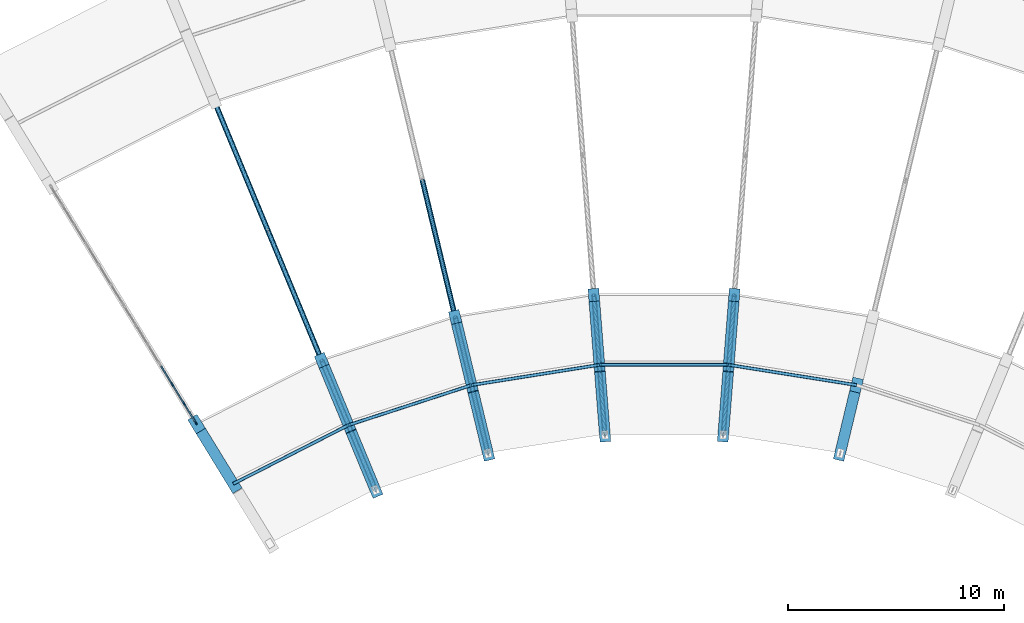
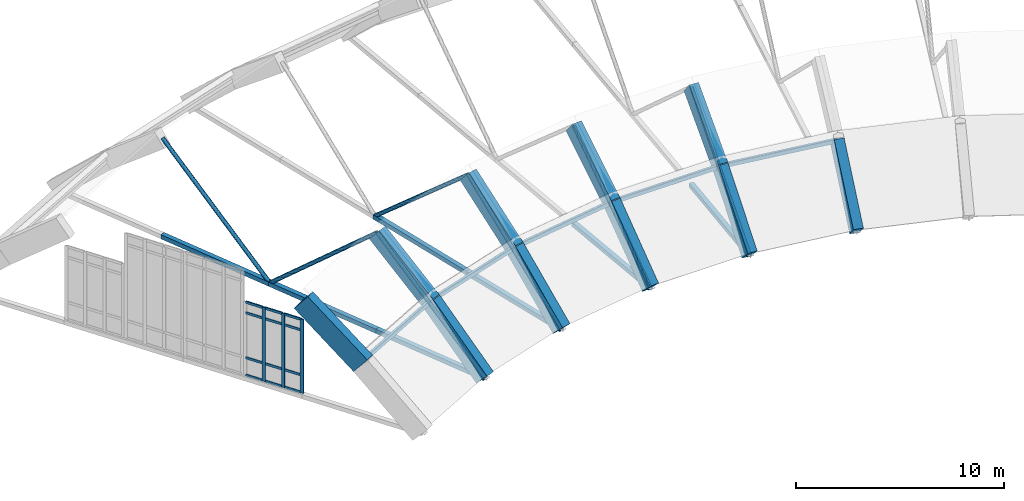
# One storey, part 10 of 34: 27 members, 17 beams, 1 element without a shape of its own.
"""IFC4 building model written with IfcOpenShell, lengths in metres."""

from ifc_helpers import new_model, si_unit, direction, frame, origin, origin_2d, place, context, subcontext, project, spatial, rectangle, hollow_rectangle, hollow_circle, extrude, material, layer, layer_set, material_profile, profile_set, type_object, element, aggregate, save


model = new_model("IFC4")

# Units and contexts
model_context = context("Model", 3, precision=1e-05, world=origin(), true_north=direction((0.0, 1.0)))
body_context = subcontext(model_context, "Body", "Model", "MODEL_VIEW")
ifc_project = project(units=[si_unit("LENGTHUNIT", "METRE"), si_unit("AREAUNIT", "SQUARE_METRE"), si_unit("VOLUMEUNIT", "CUBIC_METRE"), si_unit("PLANEANGLEUNIT", "RADIAN"), si_unit("MASSUNIT", "GRAM", prefix="KILO")], contexts=[model_context])

# Site, building, storey
site_placement = place(None, origin())
site = spatial("IfcSite", under=ifc_project, at=site_placement, CompositionType="ELEMENT")
building_placement = place(site_placement, origin())
building = spatial("IfcBuilding", under=site, at=building_placement, Name="Miralva Faculty of Natural Sciences", CompositionType="ELEMENT")
storey_placement = place(building_placement, frame((0.0, 0.0, 24.0)))
storey = spatial("IfcBuildingStorey", under=building, at=storey_placement, Name="L05", CompositionType="ELEMENT", Elevation=24.0)

# Beams
ifc_material_1 = material(Name="Concrete C40/50", Category="concrete")
ifc_material_profile_1 = material_profile(ifc_material_1, rectangle(XDim=0.5, YDim=1.199951171875, at=origin_2d()), Name="RC 500x1200")
ifc_profile_set_1 = profile_set([ifc_material_profile_1], Name="Concrete C40/50")
beam_type_1 = type_object("IfcBeamType", Name="BM-EB01", PredefinedType="BEAM", material=ifc_profile_set_1)
beam_1_placement = place(storey_placement, frame((70.014404296875, 11.613525390625, 2.93505859375), z_axis=(-0.406454163532, 0.663300468166, 0.628353007376), x_axis=(-0.852649834543, -0.522482784074, 0.0)))
element("IfcBeam", 1, at=beam_1_placement, inside=storey, type_object=beam_type_1, Name="Visible RC shell arch edge beam EB-01 chord 2", PredefinedType="BEAM", context=body_context, shape_type="SweptSolid", body=[
    extrude(rectangle(XDim=0.5, YDim=1.199951171875, at=origin_2d()), origin(), (0.0, 0.0, 1.0), 4.177490234375),
])
ifc_material_profile_2 = material_profile(ifc_material_1, rectangle(XDim=0.5, YDim=0.949951171875, at=origin_2d()), Name="RC 500x950")
ifc_profile_set_2 = profile_set([ifc_material_profile_2], Name="Concrete C40/50")
beam_type_2 = type_object("IfcBeamType", Name="BM-EB02", PredefinedType="BEAM", material=ifc_profile_set_2)
beam_2_placement = place(storey_placement, frame((76.606201171875, 11.335693359375, -0.0400390625), z_axis=(-0.276941591979, 0.668519065701, 0.69020693522), x_axis=(-0.923863931748, -0.382721093768, 0.0)))
element("IfcBeam", 2, at=beam_2_placement, inside=storey, type_object=beam_type_2, Name="Visible RC shell arch edge beam EB-02 chord 1", PredefinedType="BEAM", context=body_context, shape_type="SweptSolid", body=[
    extrude(rectangle(XDim=0.5, YDim=0.949951171875, at=origin_2d()), origin(), (0.0, 0.0, 1.0), 4.491455078125),
])
beam_3_placement = place(storey_placement, frame((75.3623046875, 14.33837890625, 3.06005859375), z_axis=(-0.297686242674, 0.718736375863, 0.628331857328), x_axis=(-0.92389049032, -0.382656976802, 0.0)))
element("IfcBeam", 3, at=beam_3_placement, inside=storey, type_object=beam_type_2, Name="Visible RC shell arch edge beam EB-02 chord 2", PredefinedType="BEAM", context=body_context, shape_type="SweptSolid", body=[
    extrude(rectangle(XDim=0.5, YDim=0.949951171875, at=origin_2d()), origin(), (0.0, 0.0, 1.0), 4.177734375),
])
beam_4_placement = place(storey_placement, frame((81.829345703125, 13.032958984375, -0.0400390625), z_axis=(-0.168888681592, 0.703603184593, 0.690231245207), x_axis=(-0.972379800638, -0.233404205855, 0.0)))
element("IfcBeam", 4, at=beam_4_placement, inside=storey, type_object=beam_type_2, Name="Visible RC shell arch edge beam EB-03 chord 1", PredefinedType="BEAM", context=body_context, shape_type="SweptSolid", body=[
    extrude(rectangle(XDim=0.5, YDim=0.949951171875, at=origin_2d()), origin(), (0.0, 0.0, 1.0), 4.491455078125),
])
beam_5_placement = place(storey_placement, frame((81.07080078125, 16.193115234375, 3.06005859375), z_axis=(-0.181621455172, 0.75646387941, 0.628312061137), x_axis=(-0.972366843262, -0.233458180677, 0.0)))
element("IfcBeam", 5, at=beam_5_placement, inside=storey, type_object=beam_type_2, Name="Visible RC shell arch edge beam EB-03 chord 2", PredefinedType="BEAM", context=body_context, shape_type="SweptSolid", body=[
    extrude(rectangle(XDim=0.5, YDim=0.949951171875, at=origin_2d()), origin(), (0.0, 0.0, 1.0), 4.177978515625),
])
beam_6_placement = place(storey_placement, frame((87.25390625, 13.89208984375, -0.0400390625), z_axis=(-0.056802650542, 0.721366483586, 0.690220149844), x_axis=(-0.99691410334, -0.078500130962, 0.0)))
element("IfcBeam", 6, at=beam_6_placement, inside=storey, type_object=beam_type_2, Name="Visible RC shell arch edge beam EB-04 chord 1", PredefinedType="BEAM", context=body_context, shape_type="SweptSolid", body=[
    extrude(rectangle(XDim=0.5, YDim=0.949951171875, at=origin_2d()), origin(), (0.0, 0.0, 1.0), 4.491455078125),
])
beam_7_placement = place(storey_placement, frame((86.998779296875, 17.132080078125, 3.06005859375), z_axis=(-0.06101040763, 0.775545133769, 0.628337071681), x_axis=(-0.996919979292, -0.078425473467, 0.0)))
element("IfcBeam", 7, at=beam_7_placement, inside=storey, type_object=beam_type_2, Name="Visible RC shell arch edge beam EB-04 chord 2", PredefinedType="BEAM", context=body_context, shape_type="SweptSolid", body=[
    extrude(rectangle(XDim=0.5, YDim=0.949951171875, at=origin_2d()), origin(), (0.0, 0.0, 1.0), 4.177734375),
])
beam_8_placement = place(storey_placement, frame((92.74609375, 13.89208984375, -0.0400390625), z_axis=(0.056802650542, 0.721366483586, 0.690220149844), x_axis=(-0.99691410334, 0.078500130962, 0.0)))
element("IfcBeam", 8, at=beam_8_placement, inside=storey, type_object=beam_type_2, Name="Visible RC shell arch edge beam EB-05 chord 1", PredefinedType="BEAM", context=body_context, shape_type="SweptSolid", body=[
    extrude(rectangle(XDim=0.5, YDim=0.949951171875, at=origin_2d()), origin(), (0.0, 0.0, 1.0), 4.491455078125),
])
beam_9_placement = place(storey_placement, frame((93.001220703125, 17.132080078125, 3.06005859375), z_axis=(0.06101040763, 0.775545133769, 0.628337071681), x_axis=(-0.996919979292, 0.078425473467, 0.0)))
element("IfcBeam", 9, at=beam_9_placement, inside=storey, type_object=beam_type_2, Name="Visible RC shell arch edge beam EB-05 chord 2", PredefinedType="BEAM", context=body_context, shape_type="SweptSolid", body=[
    extrude(rectangle(XDim=0.5, YDim=0.949951171875, at=origin_2d()), origin(), (0.0, 0.0, 1.0), 4.177734375),
])
beam_10_placement = place(storey_placement, frame((98.170654296875, 13.032958984375, -0.0400390625), z_axis=(0.168888681592, 0.703603184593, 0.690231245207), x_axis=(-0.972379800638, 0.233404205855, 0.0)))
element("IfcBeam", 10, at=beam_10_placement, inside=storey, type_object=beam_type_2, Name="Visible RC shell arch edge beam EB-06 chord 1", PredefinedType="BEAM", context=body_context, shape_type="SweptSolid", body=[
    extrude(rectangle(XDim=0.5, YDim=0.949951171875, at=origin_2d()), origin(), (0.0, 0.0, 1.0), 4.491455078125),
])
ifc_material_2 = material(Name="Steel S355", Category="steel")
ifc_material_profile_3 = material_profile(ifc_material_2, hollow_rectangle(XDim=0.25, YDim=0.25, WallThickness=0.011962890625, at=origin_2d()), Name="HSS 250x250x12")
ifc_profile_set_3 = profile_set([ifc_material_profile_3], Name="Steel S355")
beam_type_3 = type_object("IfcBeamType", Name="BM-EBTIE", PredefinedType="BEAM", material=ifc_profile_set_3)
beam_11_placement = place(storey_placement, frame((76.606201171875, 11.335693359375, -0.0400390625), z_axis=(-0.382689035976, 0.9238772114, 0.0), x_axis=(-0.9238772114, -0.382689035976, 0.0)))
element("IfcBeam", 11, at=beam_11_placement, inside=storey, type_object=beam_type_3, Name="Shell arch tie chord 02-1", PredefinedType="BEAM", context=body_context, shape_type="SweptSolid", body=[
    extrude(hollow_rectangle(XDim=0.25, YDim=0.25, WallThickness=0.011962890625, at=origin_2d()), origin(), (0.0, 0.0, 1.0), 6.500244140625),
])
beam_12_placement = place(storey_placement, frame((74.11865234375, 17.341064453125, -0.0400390625), z_axis=(-0.382702315684, 0.923871710558, 0.0), x_axis=(-0.923871710558, -0.382702315684, 0.0)))
element("IfcBeam", 12, at=beam_12_placement, inside=storey, type_object=beam_type_3, Name="Shell arch tie chord 02-2", PredefinedType="BEAM", context=body_context, shape_type="SweptSolid", body=[
    extrude(hollow_rectangle(XDim=0.25, YDim=0.25, WallThickness=0.011962890625, at=origin_2d()), origin(), (0.0, 0.0, 1.0), 6.5),
])
beam_13_placement = place(storey_placement, frame((71.631103515625, 23.34619140625, -0.0400390625), z_axis=(-0.382670255779, 0.923884990322, 0.0), x_axis=(-0.923884990322, -0.382670255779, 0.0)))
element("IfcBeam", 13, at=beam_13_placement, inside=storey, type_object=beam_type_3, Name="Shell arch tie chord 02-3", PredefinedType="BEAM", context=body_context, shape_type="SweptSolid", body=[
    extrude(hollow_rectangle(XDim=0.25, YDim=0.25, WallThickness=0.011962890625, at=origin_2d()), origin(), (0.0, 0.0, 1.0), 6.499755859375),
])
beam_14_placement = place(storey_placement, frame((81.829345703125, 13.032958984375, -0.0400390625), z_axis=(-0.233431194578, 0.972373322031, 0.0), x_axis=(-0.972373322031, -0.233431194578, 0.0)))
element("IfcBeam", 14, at=beam_14_placement, inside=storey, type_object=beam_type_3, Name="Shell arch tie chord 03-1", PredefinedType="BEAM", context=body_context, shape_type="SweptSolid", body=[
    extrude(hollow_rectangle(XDim=0.25, YDim=0.25, WallThickness=0.011962890625, at=origin_2d()), origin(), (0.0, 0.0, 1.0), 6.500244140625),
])
for number, where, z_axis, x_axis, name in (
    (15, (80.31201171875, 19.353515625, -0.0400390625), (-0.23343972018, 0.972371275307, 0.0), (-0.972371275307, -0.23343972018, 0.0), "Shell arch tie chord 03-2"),
    (16, (87.25390625, 13.89208984375, -0.0400390625), (-0.078462802379, 0.996917042006, 0.0), (-0.996917042006, -0.078462802379, 0.0), "Shell arch tie chord 04-1"),
    (17, (92.74609375, 13.89208984375, -0.0400390625), (0.078462802379, 0.996917042006, 0.0), (-0.996917042006, 0.078462802379, 0.0), "Shell arch tie chord 05-1"),
):
    element("IfcBeam", number, at=place(storey_placement, frame(where, z_axis=z_axis, x_axis=x_axis)), inside=storey, type_object=beam_type_3, Name=name, PredefinedType="BEAM", context=body_context, shape_type="SweptSolid", body=[
        extrude(hollow_rectangle(XDim=0.25, YDim=0.25, WallThickness=0.011962890625, at=origin_2d()), origin(), (0.0, 0.0, 1.0), 6.5),
    ])

# Curtain wall, members
ifc_material_3 = material(Name="Laminated solar-control glass", Category="glass")
ifc_layer = layer(ifc_material_3, 0.179931640625, Name="CW-ARC-L03")
ifc_layer_set = layer_set([ifc_layer], Name="Laminated solar-control glass")
curtain_wall_type = type_object("IfcCurtainWallType", Name="CW-ARC-L03", PredefinedType="USERDEFINED", material=ifc_layer_set)
curtain_wall_placement = place(storey_placement, origin())
curtain_wall = element("IfcCurtainWall", 18, at=curtain_wall_placement, inside=storey, type_object=curtain_wall_type, Name="Shell arch W clerestory curtain wall K2", ObjectType="UNITISED CURTAIN WALL", PredefinedType="USERDEFINED")
ifc_material_4 = material(Name="Anodised aluminium", Category="aluminium")
ifc_material_profile_4 = material_profile(ifc_material_4, rectangle(XDim=0.06494140625, YDim=0.179931640625, at=origin_2d()), Name="MULLION 65x180")
ifc_profile_set_4 = profile_set([ifc_material_profile_4], Name="Anodised aluminium")
member_type_1 = type_object("IfcMemberType", Name="CW-M01", PredefinedType="MULLION", material=ifc_profile_set_4)
member_1_placement = place(storey_placement, frame((67.191162109375, 16.220458984375, 0.090087890625), z_axis=(0.0, 0.0, 1.0), x_axis=(0.852637068257, 0.522503617054, 0.0)))
member_1 = element("IfcMember", 19, at=member_1_placement, type_object=member_type_1, Name="CW-03 mullion 2", PredefinedType="MULLION", context=body_context, shape_type="SweptSolid", body=[
    extrude(rectangle(XDim=0.06494140625, YDim=0.179931640625, at=origin_2d()), origin(), (0.0, 0.0, 1.0), 4.32958984375),
])
member_2_placement = place(storey_placement, frame((67.743408203125, 15.319580078125, 0.090087890625), z_axis=(0.0, 0.0, 1.0), x_axis=(0.852637068257, 0.522503617054, 0.0)))
member_2 = element("IfcMember", 20, at=member_2_placement, type_object=member_type_1, Name="CW-03 mullion 3", PredefinedType="MULLION", context=body_context, shape_type="SweptSolid", body=[
    extrude(rectangle(XDim=0.06494140625, YDim=0.179931640625, at=origin_2d()), origin(), (0.0, 0.0, 1.0), 4.32958984375),
])
member_3_placement = place(storey_placement, frame((68.2783203125, 14.4462890625, 0.090087890625), z_axis=(0.0, 0.0, 1.0), x_axis=(0.852637068257, 0.522503617054, 0.0)))
member_3 = element("IfcMember", 21, at=member_3_placement, type_object=member_type_1, Name="CW-03 mullion 4", PredefinedType="MULLION", context=body_context, shape_type="SweptSolid", body=[
    extrude(rectangle(XDim=0.06494140625, YDim=0.179931640625, at=origin_2d()), origin(), (0.0, 0.0, 1.0), 4.32958984375),
])
ifc_material_profile_5 = material_profile(ifc_material_4, rectangle(XDim=0.06494140625, YDim=0.139892578125, at=origin_2d()), Name="TRANSOM 65x140")
ifc_profile_set_5 = profile_set([ifc_material_profile_5], Name="Anodised aluminium")
member_type_2 = type_object("IfcMemberType", Name="CW-T01", PredefinedType="USERDEFINED", material=ifc_profile_set_5)
member_4_placement = place(storey_placement, frame((66.673095703125, 17.066162109375, 0.12255859375), z_axis=(0.522520279799, -0.852626856954, 0.0), x_axis=(0.852626856954, 0.522520279799, 0.0)))
member_4 = element("IfcMember", 22, at=member_4_placement, type_object=member_type_2, Name="CW-03 transom 1.1", ObjectType="TRANSOM", PredefinedType="USERDEFINED", context=body_context, shape_type="SweptSolid", body=[
    extrude(rectangle(XDim=0.06494140625, YDim=0.139892578125, at=origin_2d()), origin(), (0.0, 0.0, 1.0), 0.959228515625),
])
member_5_placement = place(storey_placement, frame((66.673095703125, 17.066162109375, 1.139892578125), z_axis=(0.522520279799, -0.852626856954, 0.0), x_axis=(0.852626856954, 0.522520279799, 0.0)))
member_5 = element("IfcMember", 23, at=member_5_placement, type_object=member_type_2, Name="CW-03 transom 1.2", ObjectType="TRANSOM", PredefinedType="USERDEFINED", context=body_context, shape_type="SweptSolid", body=[
    extrude(rectangle(XDim=0.06494140625, YDim=0.139892578125, at=origin_2d()), origin(), (0.0, 0.0, 1.0), 0.959228515625),
])
member_6_placement = place(storey_placement, frame((66.673095703125, 17.066162109375, 3.769775390625), z_axis=(0.522520279799, -0.852626856954, 0.0), x_axis=(0.852626856954, 0.522520279799, 0.0)))
member_6 = element("IfcMember", 24, at=member_6_placement, type_object=member_type_2, Name="CW-03 transom 1.3", ObjectType="TRANSOM", PredefinedType="USERDEFINED", context=body_context, shape_type="SweptSolid", body=[
    extrude(rectangle(XDim=0.06494140625, YDim=0.139892578125, at=origin_2d()), origin(), (0.0, 0.0, 1.0), 0.959228515625),
])
member_7_placement = place(storey_placement, frame((66.673095703125, 17.066162109375, 4.38720703125), z_axis=(0.522520279799, -0.852626856954, 0.0), x_axis=(0.852626856954, 0.522520279799, 0.0)))
member_7 = element("IfcMember", 25, at=member_7_placement, type_object=member_type_2, Name="CW-03 transom 1.4", ObjectType="TRANSOM", PredefinedType="USERDEFINED", context=body_context, shape_type="SweptSolid", body=[
    extrude(rectangle(XDim=0.06494140625, YDim=0.139892578125, at=origin_2d()), origin(), (0.0, 0.0, 1.0), 0.959228515625),
])
member_8_placement = place(storey_placement, frame((67.208251953125, 16.19287109375, 0.12255859375), z_axis=(0.522475450425, -0.852654328379, 0.0), x_axis=(0.852654328379, 0.522475450425, 0.0)))
member_8 = element("IfcMember", 26, at=member_8_placement, type_object=member_type_2, Name="CW-03 transom 2.1", ObjectType="TRANSOM", PredefinedType="USERDEFINED", context=body_context, shape_type="SweptSolid", body=[
    extrude(rectangle(XDim=0.06494140625, YDim=0.139892578125, at=origin_2d()), origin(), (0.0, 0.0, 1.0), 0.991455078125),
])
member_9_placement = place(storey_placement, frame((67.208251953125, 16.19287109375, 1.139892578125), z_axis=(0.522475450425, -0.852654328379, 0.0), x_axis=(0.852654328379, 0.522475450425, 0.0)))
member_9 = element("IfcMember", 27, at=member_9_placement, type_object=member_type_2, Name="CW-03 transom 2.2", ObjectType="TRANSOM", PredefinedType="USERDEFINED", context=body_context, shape_type="SweptSolid", body=[
    extrude(rectangle(XDim=0.06494140625, YDim=0.139892578125, at=origin_2d()), origin(), (0.0, 0.0, 1.0), 0.991455078125),
])
member_10_placement = place(storey_placement, frame((67.208251953125, 16.19287109375, 3.769775390625), z_axis=(0.522475450425, -0.852654328379, 0.0), x_axis=(0.852654328379, 0.522475450425, 0.0)))
member_10 = element("IfcMember", 28, at=member_10_placement, type_object=member_type_2, Name="CW-03 transom 2.3", ObjectType="TRANSOM", PredefinedType="USERDEFINED", context=body_context, shape_type="SweptSolid", body=[
    extrude(rectangle(XDim=0.06494140625, YDim=0.139892578125, at=origin_2d()), origin(), (0.0, 0.0, 1.0), 0.991455078125),
])
member_11_placement = place(storey_placement, frame((67.208251953125, 16.19287109375, 4.38720703125), z_axis=(0.522475450425, -0.852654328379, 0.0), x_axis=(0.852654328379, 0.522475450425, 0.0)))
member_11 = element("IfcMember", 29, at=member_11_placement, type_object=member_type_2, Name="CW-03 transom 2.4", ObjectType="TRANSOM", PredefinedType="USERDEFINED", context=body_context, shape_type="SweptSolid", body=[
    extrude(rectangle(XDim=0.06494140625, YDim=0.139892578125, at=origin_2d()), origin(), (0.0, 0.0, 1.0), 0.991455078125),
])
member_12_placement = place(storey_placement, frame((67.76025390625, 15.2919921875, 0.12255859375), z_axis=(0.522520279799, -0.852626856954, 0.0), x_axis=(0.852626856954, 0.522520279799, 0.0)))
member_12 = element("IfcMember", 30, at=member_12_placement, type_object=member_type_2, Name="CW-03 transom 3.1", ObjectType="TRANSOM", PredefinedType="USERDEFINED", context=body_context, shape_type="SweptSolid", body=[
    extrude(rectangle(XDim=0.06494140625, YDim=0.139892578125, at=origin_2d()), origin(), (0.0, 0.0, 1.0), 0.959228515625),
])
member_13_placement = place(storey_placement, frame((67.76025390625, 15.2919921875, 1.139892578125), z_axis=(0.522520279799, -0.852626856954, 0.0), x_axis=(0.852626856954, 0.522520279799, 0.0)))
member_13 = element("IfcMember", 31, at=member_13_placement, type_object=member_type_2, Name="CW-03 transom 3.2", ObjectType="TRANSOM", PredefinedType="USERDEFINED", context=body_context, shape_type="SweptSolid", body=[
    extrude(rectangle(XDim=0.06494140625, YDim=0.139892578125, at=origin_2d()), origin(), (0.0, 0.0, 1.0), 0.959228515625),
])
member_14_placement = place(storey_placement, frame((67.76025390625, 15.2919921875, 3.769775390625), z_axis=(0.522520279799, -0.852626856954, 0.0), x_axis=(0.852626856954, 0.522520279799, 0.0)))
member_14 = element("IfcMember", 32, at=member_14_placement, type_object=member_type_2, Name="CW-03 transom 3.3", ObjectType="TRANSOM", PredefinedType="USERDEFINED", context=body_context, shape_type="SweptSolid", body=[
    extrude(rectangle(XDim=0.06494140625, YDim=0.139892578125, at=origin_2d()), origin(), (0.0, 0.0, 1.0), 0.959228515625),
])
member_15_placement = place(storey_placement, frame((67.76025390625, 15.2919921875, 4.38720703125), z_axis=(0.522520279799, -0.852626856954, 0.0), x_axis=(0.852626856954, 0.522520279799, 0.0)))
member_15 = element("IfcMember", 33, at=member_15_placement, type_object=member_type_2, Name="CW-03 transom 3.4", ObjectType="TRANSOM", PredefinedType="USERDEFINED", context=body_context, shape_type="SweptSolid", body=[
    extrude(rectangle(XDim=0.06494140625, YDim=0.139892578125, at=origin_2d()), origin(), (0.0, 0.0, 1.0), 0.959228515625),
])
aggregate(curtain_wall, [member_1, member_2, member_3, member_4, member_5, member_6, member_7, member_8, member_9, member_10, member_11, member_12, member_13, member_14, member_15])

# Members
ifc_material_profile_6 = material_profile(ifc_material_2, hollow_rectangle(XDim=0.14990234375, YDim=0.25, WallThickness=0.010009765625, InnerFilletRadius=0.010009765625, OuterFilletRadius=0.02001953125, at=origin_2d()), Name="HSS 250x150x10")
ifc_profile_set_6 = profile_set([ifc_material_profile_6], Name="Steel S355")
member_type_3 = type_object("IfcMemberType", Name="MEM-PU01", PredefinedType="PURLIN", material=ifc_profile_set_6)
member_16_placement = place(storey_placement, frame((70.014404296875, 11.613525390625, 3.094970703125), z_axis=(0.891009074041, 0.453985495338, 0.0), x_axis=(-0.453985495338, 0.891009074041, 0.0)))
element("IfcMember", 34, at=member_16_placement, inside=storey, type_object=member_type_3, Name="Shell longitudinal purlin B1-K1", PredefinedType="PURLIN", context=body_context, shape_type="SweptSolid", body=[
    extrude(hollow_rectangle(XDim=0.14990234375, YDim=0.25, WallThickness=0.010009765625, InnerFilletRadius=0.010009765625, OuterFilletRadius=0.02001953125, at=origin_2d()), origin(), (0.0, 0.0, 1.0), 6.001953125),
])
member_17_placement = place(storey_placement, frame((75.3623046875, 14.33837890625, 3.094970703125), z_axis=(0.951059771775, 0.30900697486, 0.0), x_axis=(-0.30900697486, 0.951059771775, 0.0)))
element("IfcMember", 35, at=member_17_placement, inside=storey, type_object=member_type_3, Name="Shell longitudinal purlin B2-K1", PredefinedType="PURLIN", context=body_context, shape_type="SweptSolid", body=[
    extrude(hollow_rectangle(XDim=0.14990234375, YDim=0.25, WallThickness=0.010009765625, InnerFilletRadius=0.010009765625, OuterFilletRadius=0.02001953125, at=origin_2d()), origin(), (0.0, 0.0, 1.0), 6.002197265625),
])
member_18_placement = place(storey_placement, frame((81.07080078125, 16.193115234375, 3.094970703125), z_axis=(0.987686659902, 0.156445076149, 0.0), x_axis=(-0.156445076149, 0.987686659902, 0.0)))
element("IfcMember", 36, at=member_18_placement, inside=storey, type_object=member_type_3, Name="Shell longitudinal purlin B3-K1", PredefinedType="PURLIN", context=body_context, shape_type="SweptSolid", body=[
    extrude(hollow_rectangle(XDim=0.14990234375, YDim=0.25, WallThickness=0.010009765625, InnerFilletRadius=0.010009765625, OuterFilletRadius=0.02001953125, at=origin_2d()), origin(), (0.0, 0.0, 1.0), 6.001953125),
])
member_19_placement = place(storey_placement, frame((86.998779296875, 17.132080078125, 3.094970703125), z_axis=(1.0, 0.0, 0.0), x_axis=(0.0, 1.0, 0.0)))
element("IfcMember", 37, at=member_19_placement, inside=storey, type_object=member_type_3, Name="Shell longitudinal purlin B4-K1", PredefinedType="PURLIN", context=body_context, shape_type="SweptSolid", body=[
    extrude(hollow_rectangle(XDim=0.14990234375, YDim=0.25, WallThickness=0.010009765625, InnerFilletRadius=0.010009765625, OuterFilletRadius=0.02001953125, at=origin_2d()), origin(), (0.0, 0.0, 1.0), 6.00244140625),
])
member_20_placement = place(storey_placement, frame((93.001220703125, 17.132080078125, 3.094970703125), z_axis=(0.987686659902, -0.156445076149, 0.0), x_axis=(0.156445076149, 0.987686659902, 0.0)))
element("IfcMember", 38, at=member_20_placement, inside=storey, type_object=member_type_3, Name="Shell longitudinal purlin B5-K1", PredefinedType="PURLIN", context=body_context, shape_type="SweptSolid", body=[
    extrude(hollow_rectangle(XDim=0.14990234375, YDim=0.25, WallThickness=0.010009765625, InnerFilletRadius=0.010009765625, OuterFilletRadius=0.02001953125, at=origin_2d()), origin(), (0.0, 0.0, 1.0), 6.001953125),
])
ifc_material_profile_7 = material_profile(ifc_material_2, hollow_circle(Radius=0.109619140625, WallThickness=0.010009765625, at=origin_2d()), Name="CHS 219.1x10")
ifc_profile_set_7 = profile_set([ifc_material_profile_7], Name="Steel S355")
member_type_4 = type_object("IfcMemberType", Name="MEM-ST01", PredefinedType="STRUT", material=ifc_profile_set_7)
for number, where, z_axis, x_axis, name in (
    (39, (76.606201171875, 11.335693359375, -0.0400390625), (-0.287181642721, 0.693305922823, 0.660949015782), (-0.9238772114, -0.382689035976, 0.0), "Shell arch web diagonal 02-1"),
    (40, (74.11865234375, 17.341064453125, 5.68505859375), (-0.287187254629, 0.693291284927, -0.660961931599), (-0.923871710558, -0.382702315684, 0.0), "Shell arch web diagonal 02-2"),
):
    element("IfcMember", number, at=place(storey_placement, frame(where, z_axis=z_axis, x_axis=x_axis)), inside=storey, type_object=member_type_4, Name=name, PredefinedType="STRUT", context=body_context, shape_type="SweptSolid", body=[
        extrude(hollow_circle(Radius=0.109619140625, WallThickness=0.010009765625, at=origin_2d()), origin(), (0.0, 0.0, 1.0), 8.661865234375),
    ])
member_21_placement = place(storey_placement, frame((71.631103515625, 23.34619140625, -0.0400390625), z_axis=(-0.28716139299, 0.693296896679, 0.660967281665), x_axis=(-0.923884990322, -0.382670255779, 0.0)))
element("IfcMember", 41, at=member_21_placement, inside=storey, type_object=member_type_4, Name="Shell arch web diagonal 02-3", PredefinedType="STRUT", context=body_context, shape_type="SweptSolid", body=[
    extrude(hollow_circle(Radius=0.109619140625, WallThickness=0.010009765625, at=origin_2d()), origin(), (0.0, 0.0, 1.0), 8.66162109375),
])
member_22_placement = place(storey_placement, frame((81.829345703125, 13.032958984375, -0.0400390625), z_axis=(-0.175173378288, 0.729696474737, 0.660951845671), x_axis=(-0.972373322031, -0.233431194578, 0.0)))
element("IfcMember", 42, at=member_22_placement, inside=storey, type_object=member_type_4, Name="Shell arch web diagonal 03-1", PredefinedType="STRUT", context=body_context, shape_type="SweptSolid", body=[
    extrude(hollow_circle(Radius=0.109619140625, WallThickness=0.010009765625, at=origin_2d()), origin(), (0.0, 0.0, 1.0), 8.661865234375),
])
member_23_placement = place(storey_placement, frame((80.31201171875, 19.353515625, 5.68505859375), z_axis=(-0.175176981106, 0.729683296358, -0.66096543957), x_axis=(-0.972371275307, -0.23343972018, 0.0)))
element("IfcMember", 43, at=member_23_placement, inside=storey, type_object=member_type_4, Name="Shell arch web diagonal 03-2", PredefinedType="STRUT", context=body_context, shape_type="SweptSolid", body=[
    extrude(hollow_circle(Radius=0.109619140625, WallThickness=0.010009765625, at=origin_2d()), origin(), (0.0, 0.0, 1.0), 8.66162109375),
])
for number, where, z_axis, x_axis, name in (
    (44, (87.25390625, 13.89208984375, -0.0400390625), (-0.058880257598, 0.748109046034, 0.660958372749), (-0.996917042006, -0.078462802379, 0.0), "Shell arch web diagonal 04-1"),
    (45, (92.74609375, 13.89208984375, -0.0400390625), (0.058880257598, 0.748109046034, 0.660958372749), (-0.996917042006, 0.078462802379, 0.0), "Shell arch web diagonal 05-1"),
):
    element("IfcMember", number, at=place(storey_placement, frame(where, z_axis=z_axis, x_axis=x_axis)), inside=storey, type_object=member_type_4, Name=name, PredefinedType="STRUT", context=body_context, shape_type="SweptSolid", body=[
        extrude(hollow_circle(Radius=0.109619140625, WallThickness=0.010009765625, at=origin_2d()), origin(), (0.0, 0.0, 1.0), 8.661865234375),
    ])

save(model, "model.ifc")
